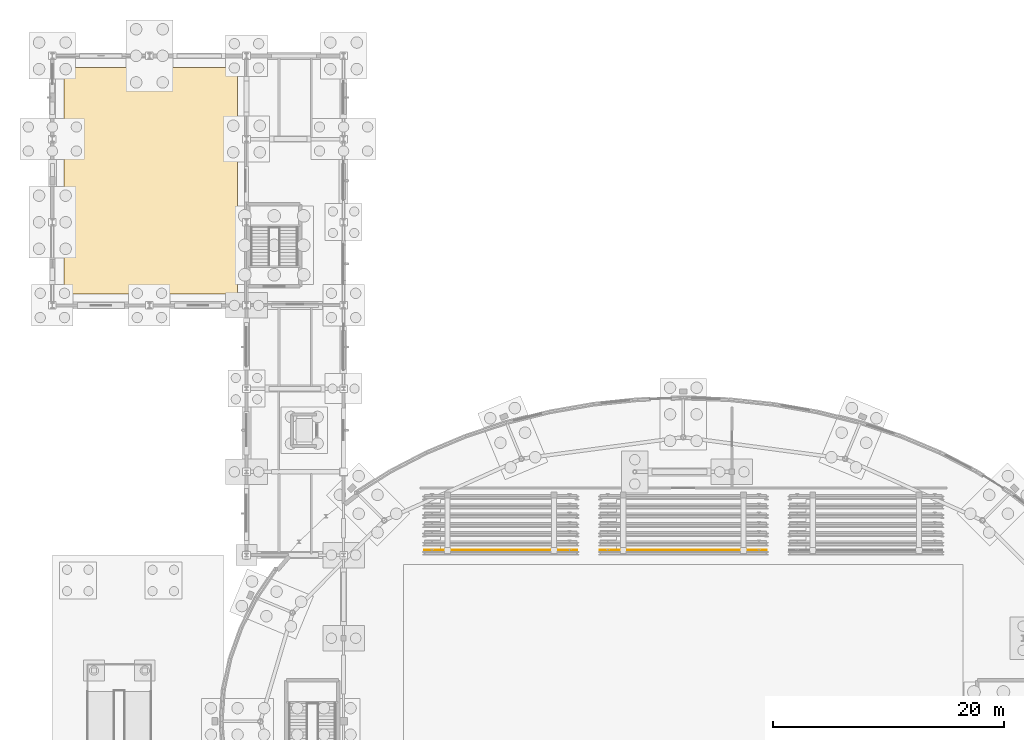
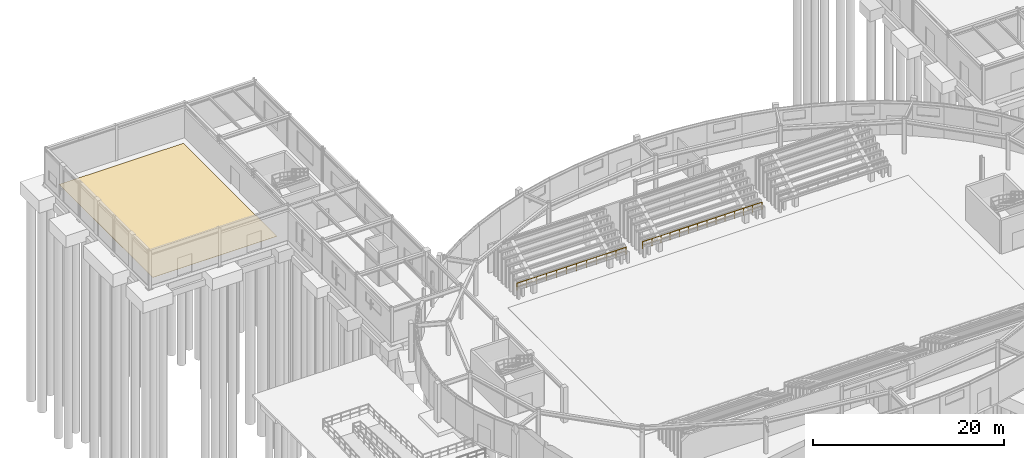
# One storey, part 83 of 93: 2 railings, 1 covering.
"""IFC4 building model written with IfcOpenShell, lengths in metres."""

from ifc_helpers import new_model, si_unit, derived_unit, direction, frame, origin, origin_2d, place, context, subcontext, project, spatial, polyline, circle, outline, extrude, material, layer, layer_set, type_object, element, save


model = new_model("IFC4")

# Units and contexts
model_context = context("Model", 3, precision=1e-05, world=origin(), true_north=direction((0.0, 1.0)))
body_context = subcontext(model_context, "Body", "Model", "MODEL_VIEW")
ifc_project = project(units=[si_unit("LENGTHUNIT", "METRE"), si_unit("AREAUNIT", "SQUARE_METRE"), si_unit("VOLUMEUNIT", "CUBIC_METRE"), si_unit("PLANEANGLEUNIT", "RADIAN"), si_unit("MASSUNIT", "GRAM", prefix="KILO"), derived_unit("THERMALTRANSMITTANCEUNIT", [(si_unit("MASSUNIT", "GRAM", prefix="KILO"), 1), (si_unit("TIMEUNIT", "SECOND"), -3), (si_unit("THERMODYNAMICTEMPERATUREUNIT", "KELVIN"), -1)])], contexts=[model_context])

# Site, building, storey
site_placement = place(None, origin())
site = spatial("IfcSite", under=ifc_project, at=site_placement, CompositionType="ELEMENT")
building_placement = place(site_placement, origin())
building = spatial("IfcBuilding", under=site, at=building_placement, Name="Kharveza Railside Sports Centre", CompositionType="ELEMENT")
storey_placement = place(building_placement, origin())
storey = spatial("IfcBuildingStorey", under=building, at=storey_placement, Name="L00", CompositionType="ELEMENT", Elevation=0.0)

# Covering
ifc_material_1 = material(Name="EPDM shock-absorbing running track surfacing")
ifc_layer = layer(ifc_material_1, 0.02490234375, Name="EPDM shock-absorbing running track surfacing")
ifc_layer_set = layer_set([ifc_layer], Name="EPDM shock-absorbing running track surfacing")
covering_type = type_object("IfcCoveringType", Name="CV-FL02", PredefinedType="FLOORING", material=ifc_layer_set)
covering_placement = place(storey_placement, origin())
element("IfcCovering", 1, at=covering_placement, inside=storey, type_object=covering_type, Name="COV-FL-CLIMB", PredefinedType="FLOORING", context=body_context, shape_type="SweptSolid", body=[
    extrude(outline(polyline([(1.0, 107.0), (16.0, 107.0), (16.0, 87.39990234375), (1.0, 87.39990234375), (1.0, 107.0)])), origin(), (0.0, 0.0, 1.0), 0.02490234375),
])

# Railings
ifc_material_2 = material(Name="Steel S275JR", Category="steel")
railing_type = type_object("IfcRailingType", Name="RL-GD090", PredefinedType="GUARDRAIL", material=ifc_material_2)
railing_1_placement = place(storey_placement, frame((32.199951171875, 65.25, 0.89990234375)))
element("IfcRailing", 2, at=railing_1_placement, inside=storey, type_object=railing_type, Name="RL-BOWL-FN-1", PredefinedType="GUARDRAIL", context=body_context, shape_type="SweptSolid", body=[
    extrude(circle(Radius=0.02392578125, at=origin_2d()), frame((0.0, 0.0, 0.8759765625), z_axis=(1.0, 0.0, 0.0), x_axis=(0.0, 1.0, 0.0)), (0.0, 0.0, 1.0), 13.199951171875),
    extrude(circle(Radius=0.01611328125, at=origin_2d()), frame((0.0, 0.0, 0.449951171875), z_axis=(1.0, 0.0, 0.0), x_axis=(0.0, 1.0, 0.0)), (0.0, 0.0, 1.0), 13.199951171875),
    extrude(circle(Radius=0.02099609375, at=origin_2d()), origin(), (0.0, 0.0, 1.0), 0.851806640625),
    extrude(circle(Radius=0.02099609375, at=origin_2d()), frame((1.199951171875, 0.0, 0.0)), (0.0, 0.0, 1.0), 0.851806640625),
    extrude(circle(Radius=0.02099609375, at=origin_2d()), frame((2.39990234375, 0.0, 0.0)), (0.0, 0.0, 1.0), 0.851806640625),
    extrude(circle(Radius=0.02099609375, at=origin_2d()), frame((3.60009765625, 0.0, 0.0)), (0.0, 0.0, 1.0), 0.851806640625),
    extrude(circle(Radius=0.02099609375, at=origin_2d()), frame((4.800048828125, 0.0, 0.0)), (0.0, 0.0, 1.0), 0.851806640625),
    extrude(circle(Radius=0.02099609375, at=origin_2d()), frame((6.0, 0.0, 0.0)), (0.0, 0.0, 1.0), 0.851806640625),
    extrude(circle(Radius=0.02099609375, at=origin_2d()), frame((7.199951171875, 0.0, 0.0)), (0.0, 0.0, 1.0), 0.851806640625),
    extrude(circle(Radius=0.02099609375, at=origin_2d()), frame((8.39990234375, 0.0, 0.0)), (0.0, 0.0, 1.0), 0.851806640625),
    extrude(circle(Radius=0.02099609375, at=origin_2d()), frame((9.599853515625, 0.0, 0.0)), (0.0, 0.0, 1.0), 0.851806640625),
    extrude(circle(Radius=0.02099609375, at=origin_2d()), frame((10.800048828125, 0.0, 0.0)), (0.0, 0.0, 1.0), 0.851806640625),
    extrude(circle(Radius=0.02099609375, at=origin_2d()), frame((12.0, 0.0, 0.0)), (0.0, 0.0, 1.0), 0.851806640625),
    extrude(circle(Radius=0.02099609375, at=origin_2d()), frame((13.199951171875, 0.0, 0.0)), (0.0, 0.0, 1.0), 0.851806640625),
])
railing_2_placement = place(storey_placement, frame((47.39990234375, 65.25, 0.89990234375)))
element("IfcRailing", 3, at=railing_2_placement, inside=storey, type_object=railing_type, Name="RL-BOWL-FN-2", PredefinedType="GUARDRAIL", context=body_context, shape_type="SweptSolid", body=[
    extrude(circle(Radius=0.02392578125, at=origin_2d()), frame((0.0, 0.0, 0.8759765625), z_axis=(1.0, 0.0, 0.0), x_axis=(0.0, 1.0, 0.0)), (0.0, 0.0, 1.0), 14.400146484375),
    extrude(circle(Radius=0.01611328125, at=origin_2d()), frame((0.0, 0.0, 0.449951171875), z_axis=(1.0, 0.0, 0.0), x_axis=(0.0, 1.0, 0.0)), (0.0, 0.0, 1.0), 14.400146484375),
    extrude(circle(Radius=0.02099609375, at=origin_2d()), origin(), (0.0, 0.0, 1.0), 0.851806640625),
    extrude(circle(Radius=0.02099609375, at=origin_2d()), frame((1.107666015625, 0.0, 0.0)), (0.0, 0.0, 1.0), 0.851806640625),
    extrude(circle(Radius=0.02099609375, at=origin_2d()), frame((2.21533203125, 0.0, 0.0)), (0.0, 0.0, 1.0), 0.851806640625),
    extrude(circle(Radius=0.02099609375, at=origin_2d()), frame((3.322998046875, 0.0, 0.0)), (0.0, 0.0, 1.0), 0.851806640625),
    extrude(circle(Radius=0.02099609375, at=origin_2d()), frame((4.430908203125, 0.0, 0.0)), (0.0, 0.0, 1.0), 0.851806640625),
    extrude(circle(Radius=0.02099609375, at=origin_2d()), frame((5.53857421875, 0.0, 0.0)), (0.0, 0.0, 1.0), 0.851806640625),
    extrude(circle(Radius=0.02099609375, at=origin_2d()), frame((6.646240234375, 0.0, 0.0)), (0.0, 0.0, 1.0), 0.851806640625),
    extrude(circle(Radius=0.02099609375, at=origin_2d()), frame((7.75390625, 0.0, 0.0)), (0.0, 0.0, 1.0), 0.851806640625),
    extrude(circle(Radius=0.02099609375, at=origin_2d()), frame((8.861572265625, 0.0, 0.0)), (0.0, 0.0, 1.0), 0.851806640625),
    extrude(circle(Radius=0.02099609375, at=origin_2d()), frame((9.96923828125, 0.0, 0.0)), (0.0, 0.0, 1.0), 0.851806640625),
    extrude(circle(Radius=0.02099609375, at=origin_2d()), frame((11.0771484375, 0.0, 0.0)), (0.0, 0.0, 1.0), 0.851806640625),
    extrude(circle(Radius=0.02099609375, at=origin_2d()), frame((12.184814453125, 0.0, 0.0)), (0.0, 0.0, 1.0), 0.851806640625),
    extrude(circle(Radius=0.02099609375, at=origin_2d()), frame((13.29248046875, 0.0, 0.0)), (0.0, 0.0, 1.0), 0.851806640625),
    extrude(circle(Radius=0.02099609375, at=origin_2d()), frame((14.400146484375, 0.0, 0.0)), (0.0, 0.0, 1.0), 0.851806640625),
])

save(model, "model.ifc")
